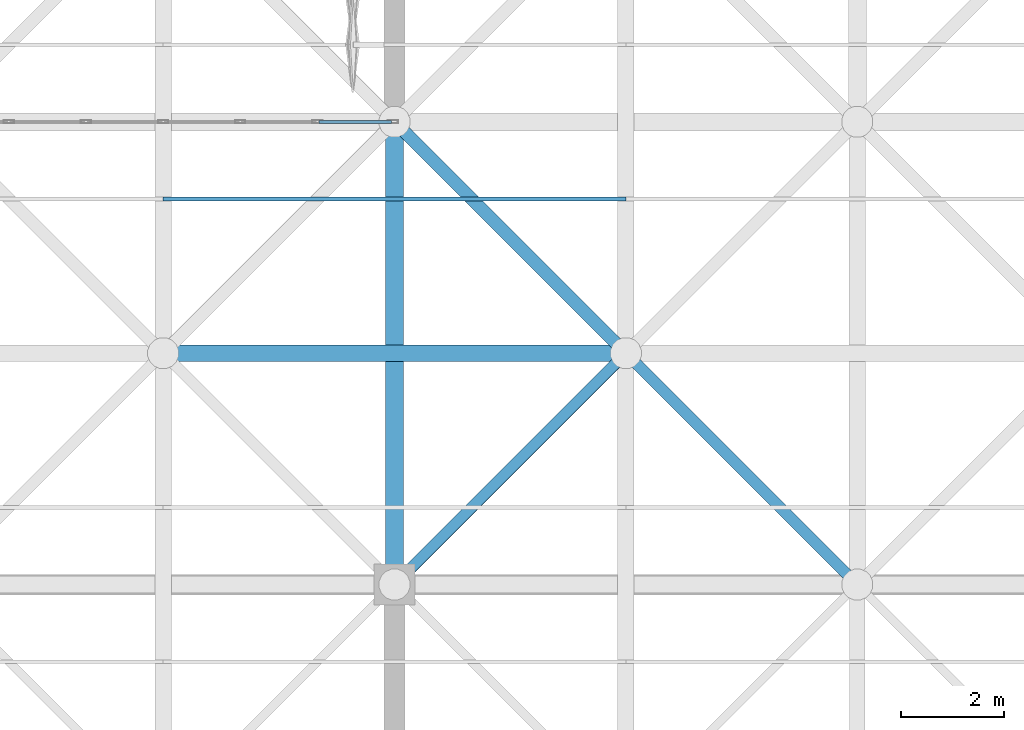
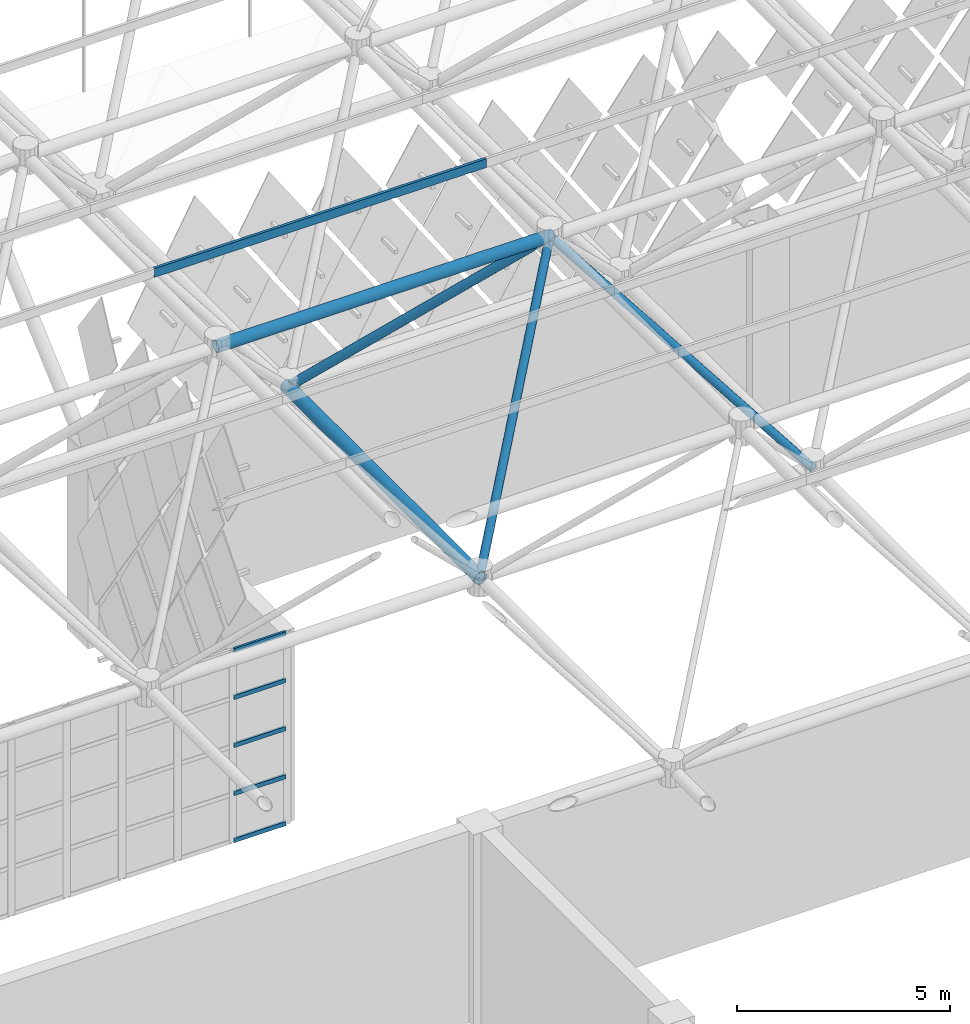
# One storey, part 189 of 437: 11 members, 1 element without a shape of its own.
"""IFC4 building model written with IfcOpenShell, lengths in metres."""

from ifc_helpers import new_model, si_unit, direction, frame, origin, origin_2d, place, context, subcontext, project, spatial, polyline, hollow_rectangle, hollow_circle, outline, extrude, material, layer, layer_set, material_profile, profile_set, type_object, element, aggregate, save


model = new_model("IFC4")

# Units and contexts
model_context = context("Model", 3, precision=1e-05, world=origin(), true_north=direction((0.0, 1.0)))
body_context = subcontext(model_context, "Body", "Model", "MODEL_VIEW")
ifc_project = project(units=[si_unit("LENGTHUNIT", "METRE"), si_unit("AREAUNIT", "SQUARE_METRE"), si_unit("VOLUMEUNIT", "CUBIC_METRE"), si_unit("PLANEANGLEUNIT", "RADIAN"), si_unit("MASSUNIT", "GRAM", prefix="KILO")], contexts=[model_context])

# Site, building, storey
site_placement = place(None, origin())
site = spatial("IfcSite", under=ifc_project, at=site_placement, CompositionType="ELEMENT")
building_placement = place(site_placement, origin())
building = spatial("IfcBuilding", under=site, at=building_placement, Name="Opaline Strait Convention Centre", CompositionType="ELEMENT")
storey_placement = place(building_placement, frame((0.0, 0.0, 11.5)))
storey = spatial("IfcBuildingStorey", under=building, at=storey_placement, Name="L02", CompositionType="ELEMENT", Elevation=11.5)

# Curtain wall, members
ifc_material_1 = material(Name="Aluminium framed glazing", Category="aluminium")
ifc_layer = layer(ifc_material_1, 0.199951171875)
ifc_layer_set = layer_set([ifc_layer], Name="Aluminium framed glazing")
curtain_wall_type = type_object("IfcCurtainWallType", Name="Entrance curtain wall 1500", PredefinedType="NOTDEFINED", material=ifc_layer_set)
curtain_wall_placement = place(storey_placement, origin())
curtain_wall = element("IfcCurtainWall", 1, at=curtain_wall_placement, inside=storey, type_object=curtain_wall_type, Name="Entrance curtain wall L02-R3", PredefinedType="NOTDEFINED")
ifc_material_2 = material(Name="Aluminium alloy 6063", Category="aluminium")
ifc_material_profile_1 = material_profile(ifc_material_2, hollow_rectangle(XDim=0.06005859375, YDim=0.1201171875, WallThickness=0.0029296875, at=origin_2d()), Name="TRANSOM 60x120x3")
ifc_profile_set_1 = profile_set([ifc_material_profile_1], Name="Aluminium alloy 6063")
member_type_1 = type_object("IfcMemberType", Name="Curtain wall transom 60 x 120", PredefinedType="USERDEFINED", material=ifc_profile_set_1)
member_1_placement = place(storey_placement, frame((205.530029296875, 144.0, 0.030029296875), z_axis=(1.0, 0.0, 0.0), x_axis=(0.0, 1.0, 0.0)))
member_1 = element("IfcMember", 2, at=member_1_placement, type_object=member_type_1, Name="XCW transom 12.1", ObjectType="TRANSOM", PredefinedType="USERDEFINED", context=body_context, shape_type="SweptSolid", body=[
    extrude(hollow_rectangle(XDim=0.06005859375, YDim=0.1201171875, WallThickness=0.0029296875, at=origin_2d()), origin(), (0.0, 0.0, 1.0), 1.409912109375),
])
member_2_placement = place(storey_placement, frame((205.530029296875, 144.0, 1.375), z_axis=(1.0, 0.0, 0.0), x_axis=(0.0, 1.0, 0.0)))
member_2 = element("IfcMember", 3, at=member_2_placement, type_object=member_type_1, Name="XCW transom 12.2", ObjectType="TRANSOM", PredefinedType="USERDEFINED", context=body_context, shape_type="SweptSolid", body=[
    extrude(hollow_rectangle(XDim=0.06005859375, YDim=0.1201171875, WallThickness=0.0029296875, at=origin_2d()), origin(), (0.0, 0.0, 1.0), 1.409912109375),
])
member_3_placement = place(storey_placement, frame((205.530029296875, 144.0, 2.75), z_axis=(1.0, 0.0, 0.0), x_axis=(0.0, 1.0, 0.0)))
member_3 = element("IfcMember", 4, at=member_3_placement, type_object=member_type_1, Name="XCW transom 12.3", ObjectType="TRANSOM", PredefinedType="USERDEFINED", context=body_context, shape_type="SweptSolid", body=[
    extrude(hollow_rectangle(XDim=0.06005859375, YDim=0.1201171875, WallThickness=0.0029296875, at=origin_2d()), origin(), (0.0, 0.0, 1.0), 1.409912109375),
])
member_4_placement = place(storey_placement, frame((205.530029296875, 144.0, 4.125), z_axis=(1.0, 0.0, 0.0), x_axis=(0.0, 1.0, 0.0)))
member_4 = element("IfcMember", 5, at=member_4_placement, type_object=member_type_1, Name="XCW transom 12.4", ObjectType="TRANSOM", PredefinedType="USERDEFINED", context=body_context, shape_type="SweptSolid", body=[
    extrude(hollow_rectangle(XDim=0.06005859375, YDim=0.1201171875, WallThickness=0.0029296875, at=origin_2d()), origin(), (0.0, 0.0, 1.0), 1.409912109375),
])
member_5_placement = place(storey_placement, frame((205.530029296875, 144.0, 5.469970703125), z_axis=(1.0, 0.0, 0.0), x_axis=(0.0, 1.0, 0.0)))
member_5 = element("IfcMember", 6, at=member_5_placement, type_object=member_type_1, Name="XCW transom 12.5", ObjectType="TRANSOM", PredefinedType="USERDEFINED", context=body_context, shape_type="SweptSolid", body=[
    extrude(hollow_rectangle(XDim=0.06005859375, YDim=0.1201171875, WallThickness=0.0029296875, at=origin_2d()), origin(), (0.0, 0.0, 1.0), 1.409912109375),
])
aggregate(curtain_wall, [member_1, member_2, member_3, member_4, member_5])

# Members
ifc_material_3 = material(Name="Steel Q355B", Category="steel")
ifc_material_profile_2 = material_profile(ifc_material_3, outline(polyline([(-0.03759765625, -0.125), (0.03759765625, -0.125), (0.03759765625, -0.10498046875), (0.034912109375, -0.10498046875), (0.034912109375, -0.12255859375), (-0.034912109375, -0.12255859375), (-0.034912109375, 0.12255859375), (0.034912109375, 0.12255859375), (0.034912109375, 0.10498046875), (0.03759765625, 0.10498046875), (0.03759765625, 0.125), (-0.03759765625, 0.125), (-0.03759765625, -0.125)])), Name="C 250x75x20x2.5")
ifc_profile_set_2 = profile_set([ifc_material_profile_2], Name="Steel Q355B")
member_type_2 = type_object("IfcMemberType", Name="Roof purlin C 250x75x20x2.5", PredefinedType="PURLIN", material=ifc_profile_set_2)
member_6_placement = place(storey_placement, frame((202.5, 142.5, 18.257080078125), z_axis=(1.0, 0.0, 0.0), x_axis=(0.0, 1.0, 0.0)))
element("IfcMember", 7, at=member_6_placement, inside=storey, type_object=member_type_2, Name="EXB-RF-P-13-11-0", PredefinedType="PURLIN", context=body_context, shape_type="SweptSolid", body=[
    extrude(outline(polyline([(-0.03759765625, -0.125), (0.03759765625, -0.125), (0.03759765625, -0.10498046875), (0.034912109375, -0.10498046875), (0.034912109375, -0.12255859375), (-0.034912109375, -0.12255859375), (-0.034912109375, 0.12255859375), (0.034912109375, 0.12255859375), (0.034912109375, 0.10498046875), (0.03759765625, 0.10498046875), (0.03759765625, 0.125), (-0.03759765625, 0.125), (-0.03759765625, -0.125)])), origin(), (0.0, 0.0, 1.0), 9.0),
])
ifc_material_profile_3 = material_profile(ifc_material_3, hollow_circle(Radius=0.175537109375, WallThickness=0.01611328125, at=origin_2d()), Name="CHS 351x16")
ifc_profile_set_3 = profile_set([ifc_material_profile_3], Name="Steel Q355B")
member_type_3 = type_object("IfcMemberType", Name="Space frame bottom chord CHS 351x16", PredefinedType="CHORD", material=ifc_profile_set_3)
member_7_placement = place(storey_placement, frame((207.0, 134.949951171875, 12.5), z_axis=(0.0, 1.0, 0.0), x_axis=(-1.0, 0.0, 0.0)))
element("IfcMember", 8, at=member_7_placement, inside=storey, type_object=member_type_3, Name="EXB-RF-BY-13-10", PredefinedType="CHORD", context=body_context, shape_type="SweptSolid", body=[
    extrude(hollow_circle(Radius=0.175537109375, WallThickness=0.01611328125, at=origin_2d()), origin(), (0.0, 0.0, 1.0), 9.10009765625),
])
ifc_material_profile_4 = material_profile(ifc_material_3, hollow_circle(Radius=0.16259765625, WallThickness=0.02001953125, at=origin_2d()), Name="CHS 325x20")
ifc_profile_set_4 = profile_set([ifc_material_profile_4], Name="Steel Q355B")
member_type_4 = type_object("IfcMemberType", Name="Space frame top chord CHS 325x20", PredefinedType="CHORD", material=ifc_profile_set_4)
member_8_placement = place(storey_placement, frame((202.449951171875, 139.5, 17.971435546875), z_axis=(1.0, 0.0, 0.0), x_axis=(0.0, 1.0, 0.0)))
element("IfcMember", 9, at=member_8_placement, inside=storey, type_object=member_type_4, Name="EXB-RF-TX-13-11", PredefinedType="CHORD", context=body_context, shape_type="SweptSolid", body=[
    extrude(hollow_circle(Radius=0.16259765625, WallThickness=0.02001953125, at=origin_2d()), origin(), (0.0, 0.0, 1.0), 9.10009765625),
])
ifc_material_profile_5 = material_profile(ifc_material_3, hollow_circle(Radius=0.109619140625, WallThickness=0.010009765625, at=origin_2d()), Name="CHS 219x10")
ifc_profile_set_5 = profile_set([ifc_material_profile_5], Name="Steel Q355B")
member_type_5 = type_object("IfcMemberType", Name="Space frame web CHS 219x10", PredefinedType="BRACE", material=ifc_profile_set_5)
for number, where, z_axis, x_axis, name in (
    (10, (211.52685546875, 139.52685546875, 18.004150390625), (-0.536178220346, -0.536178220346, -0.6519400525), (0.707106781187, -0.707106781187, 0.0), "EXB-RF-W-13-10-11"),
    (11, (211.47314453125, 139.52685546875, 18.004150390625), (0.536178220346, -0.536178220346, -0.6519400525), (0.707106781187, 0.707106781187, 0.0), "EXB-RF-W-14-10-01"),
):
    element("IfcMember", number, at=place(storey_placement, frame(where, z_axis=z_axis, x_axis=x_axis)), inside=storey, type_object=member_type_5, Name=name, PredefinedType="BRACE", context=body_context, shape_type="SweptSolid", body=[
        extrude(hollow_circle(Radius=0.109619140625, WallThickness=0.010009765625, at=origin_2d()), origin(), (0.0, 0.0, 1.0), 8.492919921875),
    ])
ifc_material_profile_6 = material_profile(ifc_material_3, hollow_circle(Radius=0.12255859375, WallThickness=0.011962890625, at=origin_2d()), Name="CHS 245x12")
ifc_profile_set_6 = profile_set([ifc_material_profile_6], Name="Steel Q355B")
member_type_6 = type_object("IfcMemberType", Name="Space frame web CHS 245x12", PredefinedType="BRACE", material=ifc_profile_set_6)
member_9_placement = place(storey_placement, frame((211.52685546875, 139.47314453125, 18.004150390625), z_axis=(-0.536178220346, 0.536178220346, -0.6519400525), x_axis=(-0.707106781187, -0.707106781187, 0.0)))
element("IfcMember", 12, at=member_9_placement, inside=storey, type_object=member_type_6, Name="EXB-RF-W-13-11-10", PredefinedType="BRACE", context=body_context, shape_type="SweptSolid", body=[
    extrude(hollow_circle(Radius=0.12255859375, WallThickness=0.011962890625, at=origin_2d()), origin(), (0.0, 0.0, 1.0), 8.492919921875),
])

save(model, "model.ifc")
